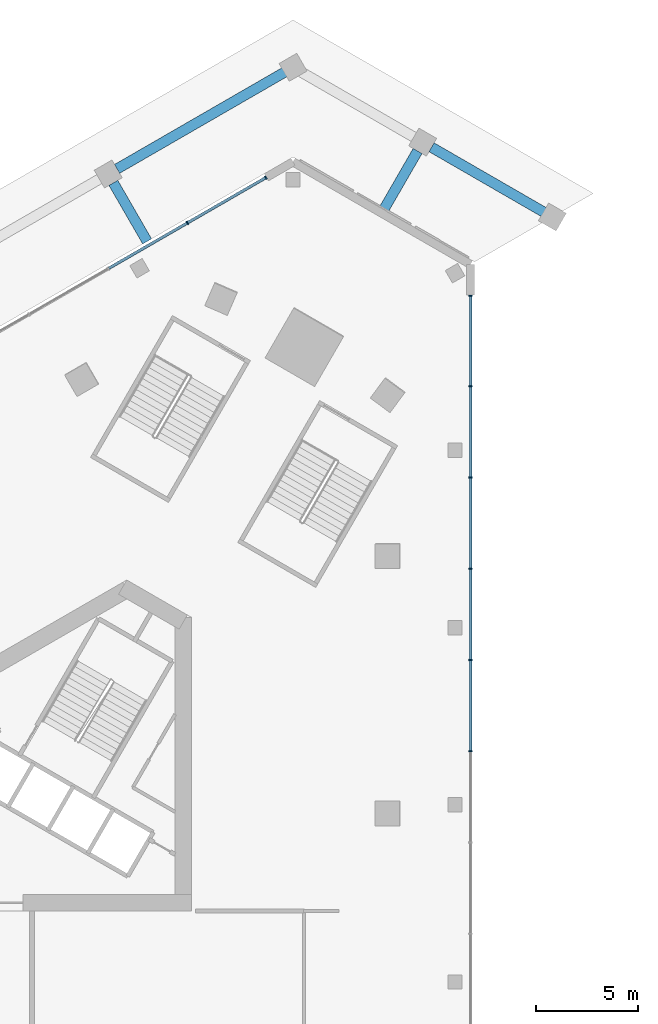
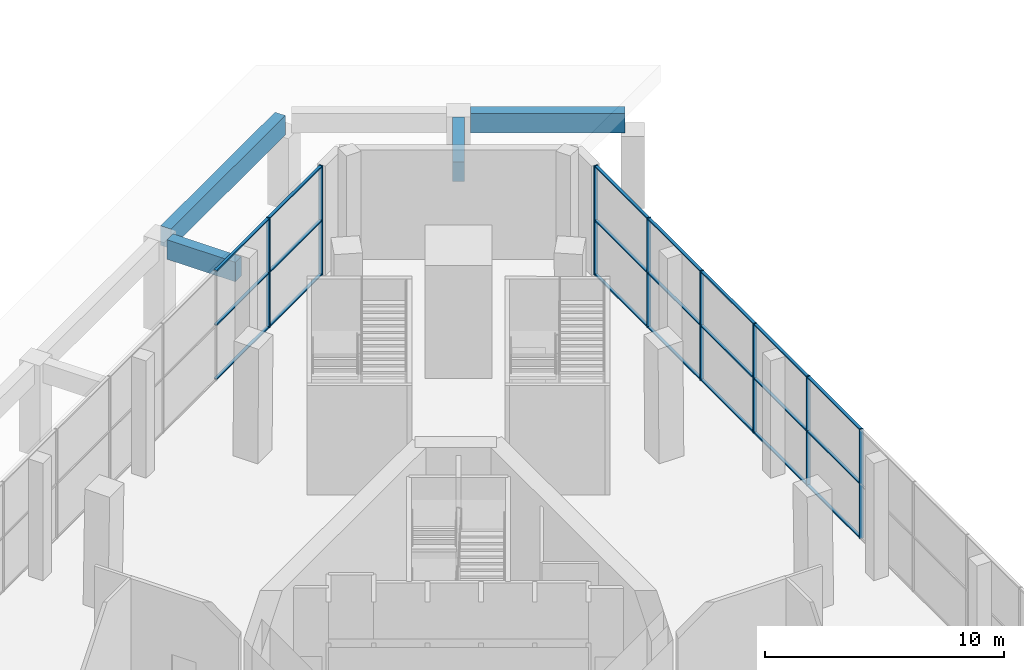
# One storey, part 14 of 51: 29 members, 4 beams, 2 elements without a shape of their own.
"""IFC4 building model written with IfcOpenShell, lengths in metres."""

from ifc_helpers import new_model, si_unit, direction, frame, origin, origin_2d, place, context, subcontext, project, spatial, rectangle, extrude, material, layer, layer_set, material_profile, profile_set, type_object, element, aggregate, save


model = new_model("IFC4")

# Units and contexts
model_context = context("Model", 3, precision=1e-05, world=origin(), true_north=direction((0.0, 1.0)))
body_context = subcontext(model_context, "Body", "Model", "MODEL_VIEW")
ifc_project = project(units=[si_unit("LENGTHUNIT", "METRE"), si_unit("AREAUNIT", "SQUARE_METRE"), si_unit("VOLUMEUNIT", "CUBIC_METRE"), si_unit("PLANEANGLEUNIT", "RADIAN"), si_unit("MASSUNIT", "GRAM", prefix="KILO")], contexts=[model_context])

# Site, building, storey
site_placement = place(None, origin())
site = spatial("IfcSite", under=ifc_project, at=site_placement, CompositionType="ELEMENT")
building_placement = place(site_placement, origin())
building = spatial("IfcBuilding", under=site, at=building_placement, Name="Jabali Bay Hotel Tower and Convention Centre", CompositionType="ELEMENT")
storey_placement = place(building_placement, frame((0.0, 0.0, 9.0)))
storey = spatial("IfcBuildingStorey", under=building, at=storey_placement, Name="L01", CompositionType="ELEMENT", Elevation=9.0)

# Beams
ifc_material_1 = material(Name="Concrete C40", Category="concrete")
ifc_material_profile_1 = material_profile(ifc_material_1, rectangle(XDim=0.5, YDim=1.0, at=origin_2d()), Name="RC 500x1000")
ifc_profile_set_1 = profile_set([ifc_material_profile_1], Name="Concrete C40")
beam_type = type_object("IfcBeamType", Name="Arcade Edge Beam 500x1000", PredefinedType="BEAM", material=ifc_profile_set_1)
beam_1_placement = place(storey_placement, frame((107.222900390625, 121.832763671875, 4.199951171875), z_axis=(-0.866018939763, 0.500011195847, 0.0), x_axis=(-0.500011195847, -0.866018939763, 0.0)))
element("IfcBeam", 1, at=beam_1_placement, inside=storey, type_object=beam_type, Name="Arcade edge beam 1", PredefinedType="BEAM", context=body_context, shape_type="SweptSolid", body=[
    extrude(rectangle(XDim=0.5, YDim=1.0, at=origin_2d()), origin(), (0.0, 0.0, 1.0), 6.489501953125),
])
beam_2_placement = place(storey_placement, frame((94.5625, 128.822265625, 4.199951171875), z_axis=(-0.866025895183, -0.499999148871, 0.0), x_axis=(0.499999148871, -0.866025895183, 0.0)))
element("IfcBeam", 2, at=beam_2_placement, inside=storey, type_object=beam_type, Name="Arcade edge beam 3", PredefinedType="BEAM", context=body_context, shape_type="SweptSolid", body=[
    extrude(rectangle(XDim=0.5, YDim=1.0, at=origin_2d()), origin(), (0.0, 0.0, 1.0), 9.59814453125),
])
for number, where, z_axis, x_axis, name in (
    (3, (100.919921875, 124.89453125, 4.199951171875), (-0.50002983664, -0.866008176907, 0.0), (0.866008176907, -0.50002983664, 0.0), "Arcade cross beam 1"),
    (4, (86.0673828125, 123.340087890625, 4.199951171875), (0.499974350878, -0.866040211805, 0.0), (0.866040211805, 0.499974350878, 0.0), "Arcade cross beam 2"),
):
    element("IfcBeam", number, at=place(storey_placement, frame(where, z_axis=z_axis, x_axis=x_axis)), inside=storey, type_object=beam_type, Name=name, PredefinedType="BEAM", context=body_context, shape_type="SweptSolid", body=[
        extrude(rectangle(XDim=0.5, YDim=1.0, at=origin_2d()), origin(), (0.0, 0.0, 1.0), 3.300048828125),
    ])

# Curtain wall, members
ifc_material_2 = material(Name="Aluminium and glass", Category="aluminium")
ifc_layer = layer(ifc_material_2, 0.179931640625)
ifc_layer_set = layer_set([ifc_layer], Name="Aluminium and glass")
curtain_wall_type = type_object("IfcCurtainWallType", Name="CW1 curtain wall", PredefinedType="NOTDEFINED", material=ifc_layer_set)
curtain_wall_1_placement = place(storey_placement, origin())
curtain_wall_1 = element("IfcCurtainWall", 5, at=curtain_wall_1_placement, inside=storey, type_object=curtain_wall_type, Name="CW1 curtain wall east face L01", PredefinedType="NOTDEFINED")
ifc_material_3 = material(Name="Aluminium", Category="aluminium")
ifc_material_profile_2 = material_profile(ifc_material_3, rectangle(XDim=0.179931640625, YDim=0.06005859375, at=origin_2d()), Name="CW1 mullion 60 x 180")
ifc_profile_set_2 = profile_set([ifc_material_profile_2], Name="Aluminium")
member_type_1 = type_object("IfcMemberType", Name="CW1 mullion 60 x 180", PredefinedType="MULLION", material=ifc_profile_set_2)
member_1_placement = place(storey_placement, frame((103.5, 117.83349609375, 0.0), z_axis=(0.0, 0.0, 1.0), x_axis=(1.0, 0.0, 0.0)))
member_1 = element("IfcMember", 6, at=member_1_placement, type_object=member_type_1, Name="CW1 mullion 1", PredefinedType="MULLION", context=body_context, shape_type="SweptSolid", body=[
    extrude(rectangle(XDim=0.179931640625, YDim=0.06005859375, at=origin_2d()), origin(), (0.0, 0.0, 1.0), 5.60009765625),
])
member_2_placement = place(storey_placement, frame((103.5, 113.408935546875, 0.0), z_axis=(0.0, 0.0, 1.0), x_axis=(1.0, 0.0, 0.0)))
member_2 = element("IfcMember", 7, at=member_2_placement, type_object=member_type_1, Name="CW1 mullion 2", PredefinedType="MULLION", context=body_context, shape_type="SweptSolid", body=[
    extrude(rectangle(XDim=0.179931640625, YDim=0.06005859375, at=origin_2d()), origin(), (0.0, 0.0, 1.0), 5.60009765625),
])
member_3_placement = place(storey_placement, frame((103.5, 108.954345703125, 0.0), z_axis=(0.0, 0.0, 1.0), x_axis=(1.0, 0.0, 0.0)))
member_3 = element("IfcMember", 8, at=member_3_placement, type_object=member_type_1, Name="CW1 mullion 3", PredefinedType="MULLION", context=body_context, shape_type="SweptSolid", body=[
    extrude(rectangle(XDim=0.179931640625, YDim=0.06005859375, at=origin_2d()), origin(), (0.0, 0.0, 1.0), 5.60009765625),
])
member_4_placement = place(storey_placement, frame((103.5, 104.5, 0.0), z_axis=(0.0, 0.0, 1.0), x_axis=(1.0, 0.0, 0.0)))
member_4 = element("IfcMember", 9, at=member_4_placement, type_object=member_type_1, Name="CW1 mullion 4", PredefinedType="MULLION", context=body_context, shape_type="SweptSolid", body=[
    extrude(rectangle(XDim=0.179931640625, YDim=0.06005859375, at=origin_2d()), origin(), (0.0, 0.0, 1.0), 5.60009765625),
])
member_5_placement = place(storey_placement, frame((103.5, 100.04541015625, 0.0), z_axis=(0.0, 0.0, 1.0), x_axis=(1.0, 0.0, 0.0)))
member_5 = element("IfcMember", 10, at=member_5_placement, type_object=member_type_1, Name="CW1 mullion 5", PredefinedType="MULLION", context=body_context, shape_type="SweptSolid", body=[
    extrude(rectangle(XDim=0.179931640625, YDim=0.06005859375, at=origin_2d()), origin(), (0.0, 0.0, 1.0), 5.60009765625),
])
member_6_placement = place(storey_placement, frame((103.5, 95.5908203125, 0.0), z_axis=(0.0, 0.0, 1.0), x_axis=(1.0, 0.0, 0.0)))
member_6 = element("IfcMember", 11, at=member_6_placement, type_object=member_type_1, Name="CW1 mullion 6", PredefinedType="MULLION", context=body_context, shape_type="SweptSolid", body=[
    extrude(rectangle(XDim=0.179931640625, YDim=0.06005859375, at=origin_2d()), origin(), (0.0, 0.0, 1.0), 5.60009765625),
])

curtain_wall_2_placement = place(storey_placement, origin())
curtain_wall_2 = element("IfcCurtainWall", 12, at=curtain_wall_2_placement, inside=storey, type_object=curtain_wall_type, Name="CW1 curtain wall north-west face L01", PredefinedType="NOTDEFINED")
member_7_placement = place(storey_placement, frame((89.682861328125, 121.38623046875, 0.0), z_axis=(0.0, 0.0, 1.0), x_axis=(-0.499999999441, 0.866025404107, 0.0)))
member_7 = element("IfcMember", 13, at=member_7_placement, type_object=member_type_1, Name="CW1 mullion 17", PredefinedType="MULLION", context=body_context, shape_type="SweptSolid", body=[
    extrude(rectangle(XDim=0.179931640625, YDim=0.06005859375, at=origin_2d()), origin(), (0.0, 0.0, 1.0), 5.60009765625),
])
member_8_placement = place(storey_placement, frame((93.5146484375, 123.598388671875, 0.0), z_axis=(0.0, 0.0, 1.0), x_axis=(-0.499999999441, 0.866025404107, 0.0)))
member_8 = element("IfcMember", 14, at=member_8_placement, type_object=member_type_1, Name="CW1 mullion 18", PredefinedType="MULLION", context=body_context, shape_type="SweptSolid", body=[
    extrude(rectangle(XDim=0.179931640625, YDim=0.06005859375, at=origin_2d()), origin(), (0.0, 0.0, 1.0), 5.60009765625),
])

# Member
ifc_material_profile_3 = material_profile(ifc_material_3, rectangle(XDim=0.139892578125, YDim=0.06005859375, at=origin_2d()), Name="CW1 transom 60 x 140")
ifc_profile_set_3 = profile_set([ifc_material_profile_3], Name="Aluminium")
member_type_2 = type_object("IfcMemberType", Name="CW1 transom 60 x 140", PredefinedType="USERDEFINED", material=ifc_profile_set_3)
member_9_placement = place(storey_placement, frame((103.5, 117.803466796875, 0.030029296875), z_axis=(0.0, -1.0, 0.0), x_axis=(1.0, 0.0, 0.0)))
member_9 = element("IfcMember", 15, at=member_9_placement, type_object=member_type_2, Name="CW1 transom 1.1", ObjectType="TRANSOM", PredefinedType="USERDEFINED", context=body_context, shape_type="SweptSolid", body=[
    extrude(rectangle(XDim=0.139892578125, YDim=0.06005859375, at=origin_2d()), origin(), (0.0, 0.0, 1.0), 4.364501953125),
])

member_10_placement = place(storey_placement, frame((103.5, 117.803466796875, 2.800048828125), z_axis=(0.0, -1.0, 0.0), x_axis=(1.0, 0.0, 0.0)))
member_10 = element("IfcMember", 16, at=member_10_placement, type_object=member_type_2, Name="CW1 transom 1.2", ObjectType="TRANSOM", PredefinedType="USERDEFINED", context=body_context, shape_type="SweptSolid", body=[
    extrude(rectangle(XDim=0.139892578125, YDim=0.06005859375, at=origin_2d()), origin(), (0.0, 0.0, 1.0), 4.364501953125),
])

member_11_placement = place(storey_placement, frame((103.5, 117.803466796875, 5.570068359375), z_axis=(0.0, -1.0, 0.0), x_axis=(1.0, 0.0, 0.0)))
member_11 = element("IfcMember", 17, at=member_11_placement, type_object=member_type_2, Name="CW1 transom 1.3", ObjectType="TRANSOM", PredefinedType="USERDEFINED", context=body_context, shape_type="SweptSolid", body=[
    extrude(rectangle(XDim=0.139892578125, YDim=0.06005859375, at=origin_2d()), origin(), (0.0, 0.0, 1.0), 4.364501953125),
])

member_12_placement = place(storey_placement, frame((103.5, 113.37890625, 0.030029296875), z_axis=(0.0, -1.0, 0.0), x_axis=(1.0, 0.0, 0.0)))
member_12 = element("IfcMember", 18, at=member_12_placement, type_object=member_type_2, Name="CW1 transom 2.1", ObjectType="TRANSOM", PredefinedType="USERDEFINED", context=body_context, shape_type="SweptSolid", body=[
    extrude(rectangle(XDim=0.139892578125, YDim=0.06005859375, at=origin_2d()), origin(), (0.0, 0.0, 1.0), 4.39453125),
])

member_13_placement = place(storey_placement, frame((103.5, 113.37890625, 2.800048828125), z_axis=(0.0, -1.0, 0.0), x_axis=(1.0, 0.0, 0.0)))
member_13 = element("IfcMember", 19, at=member_13_placement, type_object=member_type_2, Name="CW1 transom 2.2", ObjectType="TRANSOM", PredefinedType="USERDEFINED", context=body_context, shape_type="SweptSolid", body=[
    extrude(rectangle(XDim=0.139892578125, YDim=0.06005859375, at=origin_2d()), origin(), (0.0, 0.0, 1.0), 4.39453125),
])

member_14_placement = place(storey_placement, frame((103.5, 113.37890625, 5.570068359375), z_axis=(0.0, -1.0, 0.0), x_axis=(1.0, 0.0, 0.0)))
member_14 = element("IfcMember", 20, at=member_14_placement, type_object=member_type_2, Name="CW1 transom 2.3", ObjectType="TRANSOM", PredefinedType="USERDEFINED", context=body_context, shape_type="SweptSolid", body=[
    extrude(rectangle(XDim=0.139892578125, YDim=0.06005859375, at=origin_2d()), origin(), (0.0, 0.0, 1.0), 4.39453125),
])

member_15_placement = place(storey_placement, frame((103.5, 108.92431640625, 0.030029296875), z_axis=(0.0, -1.0, 0.0), x_axis=(1.0, 0.0, 0.0)))
member_15 = element("IfcMember", 21, at=member_15_placement, type_object=member_type_2, Name="CW1 transom 3.1", ObjectType="TRANSOM", PredefinedType="USERDEFINED", context=body_context, shape_type="SweptSolid", body=[
    extrude(rectangle(XDim=0.139892578125, YDim=0.06005859375, at=origin_2d()), origin(), (0.0, 0.0, 1.0), 4.39453125),
])

member_16_placement = place(storey_placement, frame((103.5, 108.92431640625, 2.800048828125), z_axis=(0.0, -1.0, 0.0), x_axis=(1.0, 0.0, 0.0)))
member_16 = element("IfcMember", 22, at=member_16_placement, type_object=member_type_2, Name="CW1 transom 3.2", ObjectType="TRANSOM", PredefinedType="USERDEFINED", context=body_context, shape_type="SweptSolid", body=[
    extrude(rectangle(XDim=0.139892578125, YDim=0.06005859375, at=origin_2d()), origin(), (0.0, 0.0, 1.0), 4.39453125),
])

member_17_placement = place(storey_placement, frame((103.5, 108.92431640625, 5.570068359375), z_axis=(0.0, -1.0, 0.0), x_axis=(1.0, 0.0, 0.0)))
member_17 = element("IfcMember", 23, at=member_17_placement, type_object=member_type_2, Name="CW1 transom 3.3", ObjectType="TRANSOM", PredefinedType="USERDEFINED", context=body_context, shape_type="SweptSolid", body=[
    extrude(rectangle(XDim=0.139892578125, YDim=0.06005859375, at=origin_2d()), origin(), (0.0, 0.0, 1.0), 4.39453125),
])

member_18_placement = place(storey_placement, frame((103.5, 104.469970703125, 0.030029296875), z_axis=(0.0, -1.0, 0.0), x_axis=(1.0, 0.0, 0.0)))
member_18 = element("IfcMember", 24, at=member_18_placement, type_object=member_type_2, Name="CW1 transom 4.1", ObjectType="TRANSOM", PredefinedType="USERDEFINED", context=body_context, shape_type="SweptSolid", body=[
    extrude(rectangle(XDim=0.139892578125, YDim=0.06005859375, at=origin_2d()), origin(), (0.0, 0.0, 1.0), 4.39453125),
])

member_19_placement = place(storey_placement, frame((103.5, 104.469970703125, 2.800048828125), z_axis=(0.0, -1.0, 0.0), x_axis=(1.0, 0.0, 0.0)))
member_19 = element("IfcMember", 25, at=member_19_placement, type_object=member_type_2, Name="CW1 transom 4.2", ObjectType="TRANSOM", PredefinedType="USERDEFINED", context=body_context, shape_type="SweptSolid", body=[
    extrude(rectangle(XDim=0.139892578125, YDim=0.06005859375, at=origin_2d()), origin(), (0.0, 0.0, 1.0), 4.39453125),
])

member_20_placement = place(storey_placement, frame((103.5, 104.469970703125, 5.570068359375), z_axis=(0.0, -1.0, 0.0), x_axis=(1.0, 0.0, 0.0)))
member_20 = element("IfcMember", 26, at=member_20_placement, type_object=member_type_2, Name="CW1 transom 4.3", ObjectType="TRANSOM", PredefinedType="USERDEFINED", context=body_context, shape_type="SweptSolid", body=[
    extrude(rectangle(XDim=0.139892578125, YDim=0.06005859375, at=origin_2d()), origin(), (0.0, 0.0, 1.0), 4.39453125),
])

member_21_placement = place(storey_placement, frame((103.5, 100.015380859375, 0.030029296875), z_axis=(0.0, -1.0, 0.0), x_axis=(1.0, 0.0, 0.0)))
member_21 = element("IfcMember", 27, at=member_21_placement, type_object=member_type_2, Name="CW1 transom 5.1", ObjectType="TRANSOM", PredefinedType="USERDEFINED", context=body_context, shape_type="SweptSolid", body=[
    extrude(rectangle(XDim=0.139892578125, YDim=0.06005859375, at=origin_2d()), origin(), (0.0, 0.0, 1.0), 4.39453125),
])

member_22_placement = place(storey_placement, frame((103.5, 100.015380859375, 2.800048828125), z_axis=(0.0, -1.0, 0.0), x_axis=(1.0, 0.0, 0.0)))
member_22 = element("IfcMember", 28, at=member_22_placement, type_object=member_type_2, Name="CW1 transom 5.2", ObjectType="TRANSOM", PredefinedType="USERDEFINED", context=body_context, shape_type="SweptSolid", body=[
    extrude(rectangle(XDim=0.139892578125, YDim=0.06005859375, at=origin_2d()), origin(), (0.0, 0.0, 1.0), 4.39453125),
])

member_23_placement = place(storey_placement, frame((103.5, 100.015380859375, 5.570068359375), z_axis=(0.0, -1.0, 0.0), x_axis=(1.0, 0.0, 0.0)))
member_23 = element("IfcMember", 29, at=member_23_placement, type_object=member_type_2, Name="CW1 transom 5.3", ObjectType="TRANSOM", PredefinedType="USERDEFINED", context=body_context, shape_type="SweptSolid", body=[
    extrude(rectangle(XDim=0.139892578125, YDim=0.06005859375, at=origin_2d()), origin(), (0.0, 0.0, 1.0), 4.39453125),
])

aggregate(curtain_wall_1, [member_1, member_2, member_3, member_4, member_5, member_6, member_9, member_10, member_11, member_12, member_13, member_14, member_15, member_16, member_17, member_18, member_19, member_20, member_21, member_22, member_23])

member_24_placement = place(storey_placement, frame((85.851318359375, 119.173828125, 0.030029296875), z_axis=(0.866019052629, 0.500011000363, 0.0), x_axis=(-0.500011000363, 0.866019052629, 0.0)))
member_24 = element("IfcMember", 30, at=member_24_placement, type_object=member_type_2, Name="CW1 transom 16.1", ObjectType="TRANSOM", PredefinedType="USERDEFINED", context=body_context, shape_type="SweptSolid", body=[
    extrude(rectangle(XDim=0.139892578125, YDim=0.06005859375, at=origin_2d()), origin(), (0.0, 0.0, 1.0), 4.39453125),
])

member_25_placement = place(storey_placement, frame((85.851318359375, 119.173828125, 2.800048828125), z_axis=(0.866019052629, 0.500011000363, 0.0), x_axis=(-0.500011000363, 0.866019052629, 0.0)))
member_25 = element("IfcMember", 31, at=member_25_placement, type_object=member_type_2, Name="CW1 transom 16.2", ObjectType="TRANSOM", PredefinedType="USERDEFINED", context=body_context, shape_type="SweptSolid", body=[
    extrude(rectangle(XDim=0.139892578125, YDim=0.06005859375, at=origin_2d()), origin(), (0.0, 0.0, 1.0), 4.39453125),
])

member_26_placement = place(storey_placement, frame((85.851318359375, 119.173828125, 5.570068359375), z_axis=(0.866019052629, 0.500011000363, 0.0), x_axis=(-0.500011000363, 0.866019052629, 0.0)))
member_26 = element("IfcMember", 32, at=member_26_placement, type_object=member_type_2, Name="CW1 transom 16.3", ObjectType="TRANSOM", PredefinedType="USERDEFINED", context=body_context, shape_type="SweptSolid", body=[
    extrude(rectangle(XDim=0.139892578125, YDim=0.06005859375, at=origin_2d()), origin(), (0.0, 0.0, 1.0), 4.39453125),
])

member_27_placement = place(storey_placement, frame((89.708984375, 121.401123046875, 0.030029296875), z_axis=(0.866014185868, 0.500019429497, 0.0), x_axis=(-0.500019429497, 0.866014185868, 0.0)))
member_27 = element("IfcMember", 33, at=member_27_placement, type_object=member_type_2, Name="CW1 transom 17.1", ObjectType="TRANSOM", PredefinedType="USERDEFINED", context=body_context, shape_type="SweptSolid", body=[
    extrude(rectangle(XDim=0.139892578125, YDim=0.06005859375, at=origin_2d()), origin(), (0.0, 0.0, 1.0), 4.364501953125),
])

member_28_placement = place(storey_placement, frame((89.708984375, 121.401123046875, 2.800048828125), z_axis=(0.866014185868, 0.500019429497, 0.0), x_axis=(-0.500019429497, 0.866014185868, 0.0)))
member_28 = element("IfcMember", 34, at=member_28_placement, type_object=member_type_2, Name="CW1 transom 17.2", ObjectType="TRANSOM", PredefinedType="USERDEFINED", context=body_context, shape_type="SweptSolid", body=[
    extrude(rectangle(XDim=0.139892578125, YDim=0.06005859375, at=origin_2d()), origin(), (0.0, 0.0, 1.0), 4.364501953125),
])

member_29_placement = place(storey_placement, frame((89.708984375, 121.401123046875, 5.570068359375), z_axis=(0.866014185868, 0.500019429497, 0.0), x_axis=(-0.500019429497, 0.866014185868, 0.0)))
member_29 = element("IfcMember", 35, at=member_29_placement, type_object=member_type_2, Name="CW1 transom 17.3", ObjectType="TRANSOM", PredefinedType="USERDEFINED", context=body_context, shape_type="SweptSolid", body=[
    extrude(rectangle(XDim=0.139892578125, YDim=0.06005859375, at=origin_2d()), origin(), (0.0, 0.0, 1.0), 4.364501953125),
])

aggregate(curtain_wall_2, [member_7, member_8, member_24, member_25, member_26, member_27, member_28, member_29])

save(model, "model.ifc")
